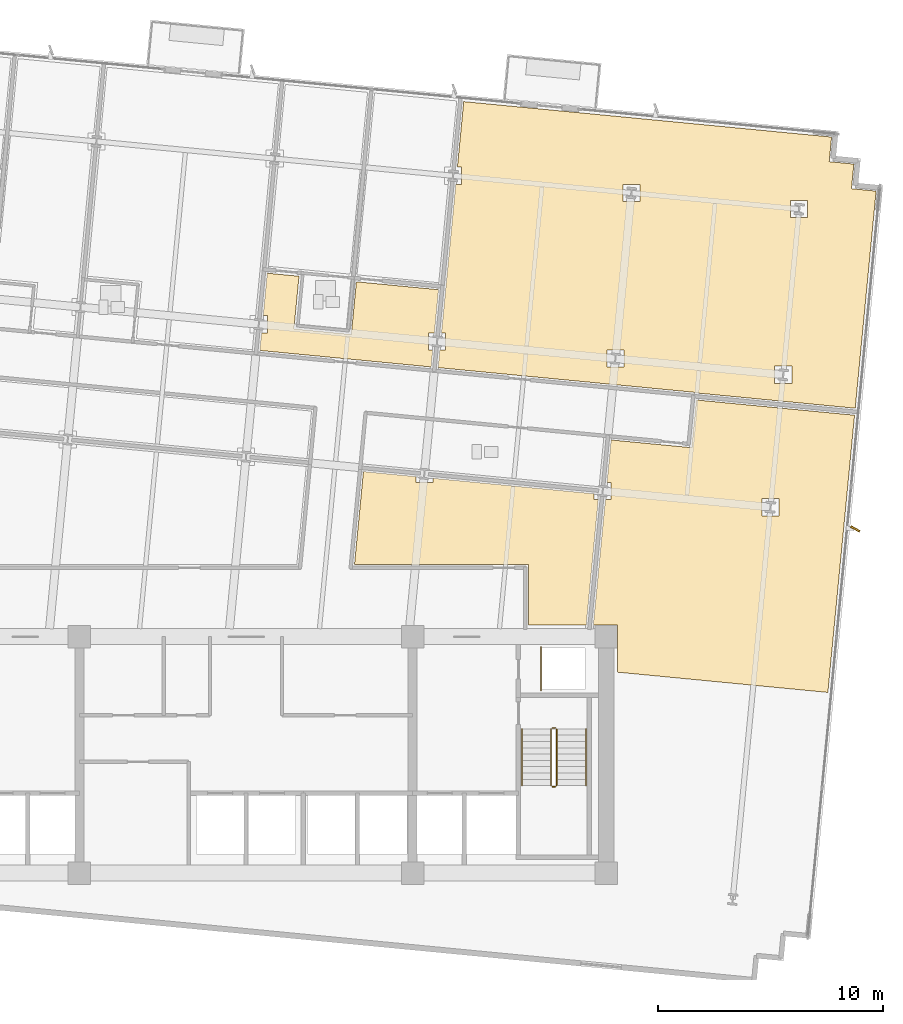
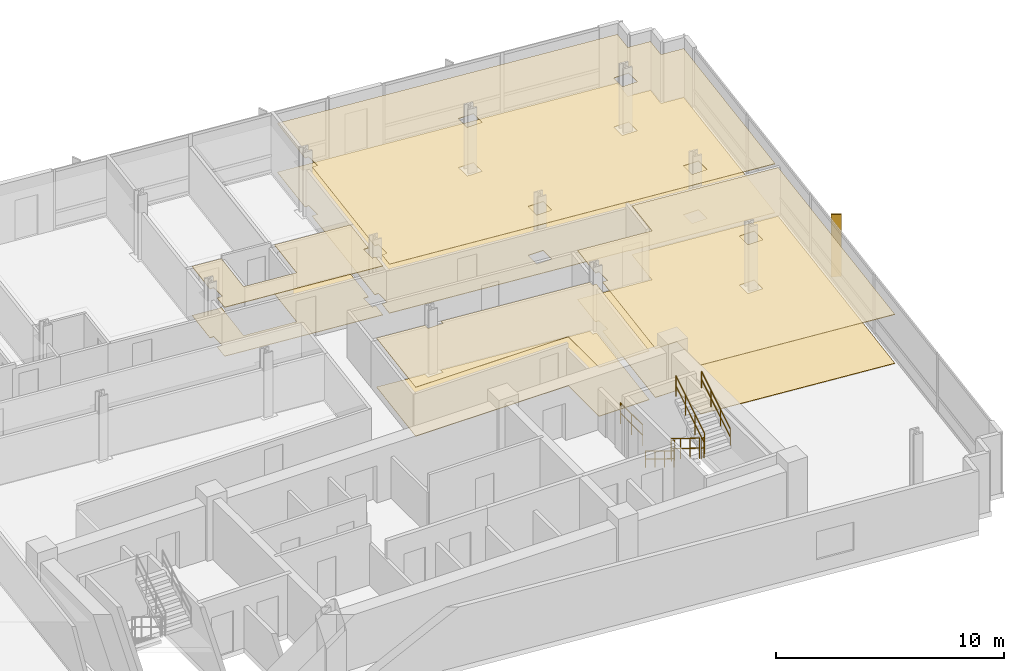
# One storey, part 15 of 17: 8 coverings, 7 railings, 1 shading device.
"""IFC4 building model written with IfcOpenShell, lengths in metres."""

from ifc_helpers import new_model, si_unit, direction, frame, origin, origin_2d, place, context, subcontext, project, spatial, polyline, rectangle, circle, outline, extrude, material, layer, layer_set, type_object, element, save


model = new_model("IFC4")

# Units and contexts
model_context = context("Model", 3, precision=1e-05, world=origin(), true_north=direction((0.0, 1.0)))
body_context = subcontext(model_context, "Body", "Model", "MODEL_VIEW")
ifc_project = project(units=[si_unit("LENGTHUNIT", "METRE"), si_unit("AREAUNIT", "SQUARE_METRE"), si_unit("VOLUMEUNIT", "CUBIC_METRE"), si_unit("PLANEANGLEUNIT", "RADIAN"), si_unit("MASSUNIT", "GRAM", prefix="KILO")], contexts=[model_context])

# Site, building, storey
site_placement = place(None, origin())
site = spatial("IfcSite", under=ifc_project, at=site_placement, CompositionType="ELEMENT")
building_placement = place(site_placement, origin())
building = spatial("IfcBuilding", under=site, at=building_placement, Name="Solmavex Isthmus Hotel", CompositionType="ELEMENT")
storey_placement = place(building_placement, frame((0.0, 0.0, 153.14990234375)))
storey = spatial("IfcBuildingStorey", under=building, at=storey_placement, Name="L41", CompositionType="ELEMENT", Elevation=153.14990234375)

# Coverings
ifc_material_1 = material(Name="Gypsum plasterboard lining", Category="gypsum")
ifc_layer_1 = layer(ifc_material_1, 0.030029296875)
ifc_layer_set_1 = layer_set([ifc_layer_1], Name="Gypsum plasterboard lining")
covering_type_1 = type_object("IfcCoveringType", Name="COV-CEIL-GYP", PredefinedType="CEILING", material=ifc_layer_set_1)
covering_1_placement = place(storey_placement, frame((0.0, 0.0, 2.6201171875)))
element("IfcCovering", 1, at=covering_1_placement, inside=storey, type_object=covering_type_1, Name="Suspended Acoustic Ceiling L41-ST05-FY", PredefinedType="CEILING", context=body_context, shape_type="SweptSolid", body=[
    extrude(outline(polyline([(4.9013671875, 13.259521484375), (4.67626953125, 10.920166015625), (2.1279296875, 11.16552734375), (2.353271484375, 13.5048828125), (0.94189453125, 13.640625), (0.759765625, 11.751220703125), (0.947509765625, 11.751220703125), (0.947509765625, 10.9912109375), (0.686767578125, 10.9912109375), (0.611328125, 10.20849609375), (4.7333984375, 9.811767578125), (5.606201171875, 9.7275390625), (8.22216796875, 9.475830078125), (8.294677734375, 10.228515625), (8.10693359375, 10.228515625), (8.10693359375, 10.988525390625), (8.36767578125, 10.988525390625), (8.552490234375, 12.907958984375), (4.9013671875, 13.259521484375)])), origin(), (0.0, 0.0, 1.0), 0.030029296875),
])
covering_2_placement = place(storey_placement, frame((0.0, 0.0, 2.6201171875)))
element("IfcCovering", 2, at=covering_2_placement, inside=storey, type_object=covering_type_1, Name="Suspended Acoustic Ceiling L41-RM06", PredefinedType="CEILING", context=body_context, shape_type="SweptSolid", body=[
    extrude(outline(polyline([(8.67919921875, 10.988525390625), (8.866943359375, 10.988525390625), (8.866943359375, 10.228515625), (8.60595703125, 10.228515625), (8.53076171875, 9.446044921875), (20.033447265625, 8.33837890625), (20.031494140625, 8.318603515625), (27.05712890625, 7.64208984375), (27.90673828125, 16.46630859375), (27.98583984375, 17.287353515625), (26.890869140625, 17.392822265625), (26.996337890625, 18.48779296875), (25.9013671875, 18.59326171875), (26.0068359375, 19.688232421875), (25.185546875, 19.767333984375), (9.66845703125, 21.261474609375), (9.3876953125, 18.346435546875), (9.575439453125, 18.346435546875), (9.575439453125, 17.586669921875), (9.314453125, 17.586669921875), (8.67919921875, 10.988525390625)]), holes=[polyline([(24.188232421875, 16.106201171875), (24.188232421875, 16.8662109375), (24.9482421875, 16.8662109375), (24.9482421875, 16.106201171875), (24.188232421875, 16.106201171875)]), polyline([(23.479736328125, 8.748291015625), (23.479736328125, 9.50830078125), (24.23974609375, 9.50830078125), (24.23974609375, 8.748291015625), (23.479736328125, 8.748291015625)]), polyline([(16.73486328125, 16.823974609375), (16.73486328125, 17.583984375), (17.494873046875, 17.583984375), (17.494873046875, 16.823974609375), (16.73486328125, 16.823974609375)]), polyline([(16.0263671875, 9.466064453125), (16.0263671875, 10.22607421875), (16.786376953125, 10.22607421875), (16.786376953125, 9.466064453125), (16.0263671875, 9.466064453125)])]), origin(), (0.0, 0.0, 1.0), 0.030029296875),
])
covering_3_placement = place(storey_placement, frame((0.0, 0.0, 2.6201171875)))
element("IfcCovering", 3, at=covering_3_placement, inside=storey, type_object=covering_type_1, Name="Suspended Acoustic Ceiling L41-FL09", PredefinedType="CEILING", context=body_context, shape_type="SweptSolid", body=[
    extrude(outline(polyline([(8.300537109375, 4.535400390625), (8.300537109375, 4.347900390625), (7.540771484375, 4.347900390625), (7.540771484375, 4.608642578125), (5.21533203125, 4.83251953125), (4.81787109375, 0.705078125), (12.554931640625, 0.705078125), (12.554931640625, -1.9951171875), (15.1103515625, -1.9951171875), (15.647705078125, 3.585205078125), (15.4599609375, 3.585205078125), (15.4599609375, 3.84619140625), (8.300537109375, 4.535400390625)])), origin(), (0.0, 0.0, 1.0), 0.030029296875),
])
covering_4_placement = place(storey_placement, frame((0.0, 0.0, 2.6201171875)))
element("IfcCovering", 4, at=covering_4_placement, inside=storey, type_object=covering_type_1, Name="Suspended Acoustic Ceiling L41-FL12", PredefinedType="CEILING", context=body_context, shape_type="SweptSolid", body=[
    extrude(outline(polyline([(16.0322265625, 4.34521484375), (16.219970703125, 4.34521484375), (16.219970703125, 3.585205078125), (15.959228515625, 3.585205078125), (15.658935546875, 0.466552734375), (15.421875, -1.9951171875), (16.5048828125, -1.9951171875), (16.5048828125, -4.08056640625), (25.841796875, -4.9794921875), (26.267822265625, -0.554931640625), (26.603271484375, 2.928955078125), (27.02734375, 7.33349609375), (20.001953125, 8.010009765625), (19.797607421875, 5.8896484375), (16.21435546875, 6.23486328125), (16.0322265625, 4.34521484375)]), holes=[polyline([(22.91357421875, 2.867431640625), (22.91357421875, 3.62744140625), (23.673583984375, 3.62744140625), (23.673583984375, 2.867431640625), (22.91357421875, 2.867431640625)])]), origin(), (0.0, 0.0, 1.0), 0.030029296875),
])
ifc_material_2 = material(Name="Travertine natural stone", Category="masonry")
ifc_layer_2 = layer(ifc_material_2, 0.02490234375)
ifc_layer_set_2 = layer_set([ifc_layer_2], Name="Travertine natural stone")
covering_type_2 = type_object("IfcCoveringType", Name="COV-FLOR-STN", PredefinedType="FLOORING", material=ifc_layer_set_2)
covering_5_placement = place(storey_placement, origin())
element("IfcCovering", 5, at=covering_5_placement, inside=storey, type_object=covering_type_2, Name="Stone and Timber Floor Finish L41-ST05-FY", PredefinedType="FLOORING", context=body_context, shape_type="SweptSolid", body=[
    extrude(outline(polyline([(4.9013671875, 13.259521484375), (4.67626953125, 10.920166015625), (2.1279296875, 11.16552734375), (2.353271484375, 13.5048828125), (0.94189453125, 13.640625), (0.759765625, 11.751220703125), (0.947509765625, 11.751220703125), (0.947509765625, 10.9912109375), (0.686767578125, 10.9912109375), (0.611328125, 10.20849609375), (4.7333984375, 9.811767578125), (5.606201171875, 9.7275390625), (8.22216796875, 9.475830078125), (8.294677734375, 10.228515625), (8.10693359375, 10.228515625), (8.10693359375, 10.988525390625), (8.36767578125, 10.988525390625), (8.552490234375, 12.907958984375), (4.9013671875, 13.259521484375)])), origin(), (0.0, 0.0, 1.0), 0.025146484375),
])
covering_6_placement = place(storey_placement, origin())
element("IfcCovering", 6, at=covering_6_placement, inside=storey, type_object=covering_type_2, Name="Stone and Timber Floor Finish L41-RM06", PredefinedType="FLOORING", context=body_context, shape_type="SweptSolid", body=[
    extrude(outline(polyline([(8.67919921875, 10.988525390625), (8.866943359375, 10.988525390625), (8.866943359375, 10.228515625), (8.60595703125, 10.228515625), (8.53076171875, 9.446044921875), (20.033447265625, 8.33837890625), (20.031494140625, 8.318603515625), (27.05712890625, 7.64208984375), (27.90673828125, 16.46630859375), (27.98583984375, 17.287353515625), (26.890869140625, 17.392822265625), (26.996337890625, 18.48779296875), (25.9013671875, 18.59326171875), (26.0068359375, 19.688232421875), (25.185546875, 19.767333984375), (9.66845703125, 21.261474609375), (9.3876953125, 18.346435546875), (9.575439453125, 18.346435546875), (9.575439453125, 17.586669921875), (9.314453125, 17.586669921875), (8.67919921875, 10.988525390625)]), holes=[polyline([(24.188232421875, 16.106201171875), (24.188232421875, 16.8662109375), (24.9482421875, 16.8662109375), (24.9482421875, 16.106201171875), (24.188232421875, 16.106201171875)]), polyline([(23.479736328125, 8.748291015625), (23.479736328125, 9.50830078125), (24.23974609375, 9.50830078125), (24.23974609375, 8.748291015625), (23.479736328125, 8.748291015625)]), polyline([(16.73486328125, 16.823974609375), (16.73486328125, 17.583984375), (17.494873046875, 17.583984375), (17.494873046875, 16.823974609375), (16.73486328125, 16.823974609375)]), polyline([(16.0263671875, 9.466064453125), (16.0263671875, 10.22607421875), (16.786376953125, 10.22607421875), (16.786376953125, 9.466064453125), (16.0263671875, 9.466064453125)])]), origin(), (0.0, 0.0, 1.0), 0.025146484375),
])
covering_7_placement = place(storey_placement, origin())
element("IfcCovering", 7, at=covering_7_placement, inside=storey, type_object=covering_type_2, Name="Stone and Timber Floor Finish L41-FL09", PredefinedType="FLOORING", context=body_context, shape_type="SweptSolid", body=[
    extrude(outline(polyline([(8.300537109375, 4.535400390625), (8.300537109375, 4.347900390625), (7.540771484375, 4.347900390625), (7.540771484375, 4.608642578125), (5.21533203125, 4.83251953125), (4.81787109375, 0.705078125), (12.554931640625, 0.705078125), (12.554931640625, -1.9951171875), (15.1103515625, -1.9951171875), (15.647705078125, 3.585205078125), (15.4599609375, 3.585205078125), (15.4599609375, 3.84619140625), (8.300537109375, 4.535400390625)])), origin(), (0.0, 0.0, 1.0), 0.025146484375),
])
covering_8_placement = place(storey_placement, origin())
element("IfcCovering", 8, at=covering_8_placement, inside=storey, type_object=covering_type_2, Name="Stone and Timber Floor Finish L41-FL12", PredefinedType="FLOORING", context=body_context, shape_type="SweptSolid", body=[
    extrude(outline(polyline([(16.0322265625, 4.34521484375), (16.219970703125, 4.34521484375), (16.219970703125, 3.585205078125), (15.959228515625, 3.585205078125), (15.658935546875, 0.466552734375), (15.421875, -1.9951171875), (16.5048828125, -1.9951171875), (16.5048828125, -4.08056640625), (25.841796875, -4.9794921875), (26.267822265625, -0.554931640625), (26.603271484375, 2.928955078125), (27.02734375, 7.33349609375), (20.001953125, 8.010009765625), (19.797607421875, 5.8896484375), (16.21435546875, 6.23486328125), (16.0322265625, 4.34521484375)]), holes=[polyline([(22.91357421875, 2.867431640625), (22.91357421875, 3.62744140625), (23.673583984375, 3.62744140625), (23.673583984375, 2.867431640625), (22.91357421875, 2.867431640625)])]), origin(), (0.0, 0.0, 1.0), 0.025146484375),
])

# Railings
ifc_material_3 = material(Name="Clear low-E laminated glass", Category="glass")
ifc_layer_3 = layer(ifc_material_3, 0.080078125)
ifc_layer_set_3 = layer_set([ifc_layer_3], Name="Clear low-E laminated glass")
railing_type_1 = type_object("IfcRailingType", Name="RAIL-ATRIUM-1120", PredefinedType="BALUSTRADE", material=ifc_layer_set_3)
railing_1_placement = place(storey_placement, frame((13.10009765625, -4.89990234375, 0.0)))
element("IfcRailing", 9, at=railing_1_placement, inside=storey, type_object=railing_type_1, Name="Guardrail Balustrade L41-RSE-01", PredefinedType="BALUSTRADE", context=body_context, shape_type="SweptSolid", body=[
    extrude(circle(Radius=0.02392578125, at=origin_2d()), frame((0.0, 0.0, 1.1259765625), z_axis=(0.0, 1.0, 0.0), x_axis=(-1.0, 0.0, 0.0)), (0.0, 0.0, 1.0), 1.949951171875),
    extrude(circle(Radius=0.02392578125, at=origin_2d()), frame((0.0, 0.0, 0.574951171875), z_axis=(0.0, 1.0, 0.0), x_axis=(-1.0, 0.0, 0.0)), (0.0, 0.0, 1.0), 1.949951171875),
    extrude(circle(Radius=0.02099609375, at=origin_2d()), origin(), (0.0, 0.0, 1.0), 1.101806640625),
    extrude(circle(Radius=0.02099609375, at=origin_2d()), frame((0.0, 0.97509765625, 0.0)), (0.0, 0.0, 1.0), 1.101806640625),
    extrude(circle(Radius=0.02099609375, at=origin_2d()), frame((0.0, 1.949951171875, 0.0)), (0.0, 0.0, 1.0), 1.101806640625),
])
ifc_material_4 = material(Name="Stainless steel 316", Category="steel")
ifc_layer_4 = layer(ifc_material_4, 0.06005859375)
ifc_layer_set_4 = layer_set([ifc_layer_4], Name="Stainless steel 316")
railing_type_2 = type_object("IfcRailingType", Name="RAIL-STAIR-GD", PredefinedType="GUARDRAIL", material=ifc_layer_set_4)
railing_2_placement = place(storey_placement, frame((13.550048828125, -6.60009765625, 0.172607421875)))
element("IfcRailing", 10, at=railing_2_placement, inside=storey, type_object=railing_type_2, Name="L41 ST-2 stair guard 1", PredefinedType="GUARDRAIL", context=body_context, shape_type="SweptSolid", body=[
    extrude(circle(Radius=0.02392578125, at=origin_2d()), frame((0.0, 0.0, 1.09619140625), z_axis=(0.0, -0.851400495292, 0.524516154772), x_axis=(1.0, 0.0, 0.0)), (0.0, 0.0, 1.0), 2.9599609375),
    extrude(circle(Radius=0.02392578125, at=origin_2d()), frame((0.0, 0.0, 0.56005859375), z_axis=(0.0, -0.851400495292, 0.524516154772), x_axis=(1.0, 0.0, 0.0)), (0.0, 0.0, 1.0), 2.9599609375),
    extrude(circle(Radius=0.02099609375, at=origin_2d()), origin(), (0.0, 0.0, 1.0), 1.072021484375),
    extrude(circle(Radius=0.02099609375, at=origin_2d()), frame((0.0, -0.840087890625, 0.517578125)), (0.0, 0.0, 1.0), 1.072021484375),
    extrude(circle(Radius=0.02099609375, at=origin_2d()), frame((0.0, -1.679931640625, 1.034912109375)), (0.0, 0.0, 1.0), 1.072021484375),
    extrude(circle(Radius=0.02099609375, at=origin_2d()), frame((0.0, -2.52001953125, 1.552490234375)), (0.0, 0.0, 1.0), 1.072021484375),
])
railing_3_placement = place(storey_placement, frame((13.60009765625, -9.169921875, 1.72509765625)))
element("IfcRailing", 11, at=railing_3_placement, inside=storey, type_object=railing_type_2, Name="L41 ST-2 stair guard 2", PredefinedType="GUARDRAIL", context=body_context, shape_type="SweptSolid", body=[
    extrude(circle(Radius=0.02392578125, at=origin_2d()), frame((0.0, 0.0, 1.09619140625), z_axis=(1.0, 0.0, 0.0), x_axis=(0.0, 1.0, 0.0)), (0.0, 0.0, 1.0), 0.14990234375),
    extrude(circle(Radius=0.02392578125, at=origin_2d()), frame((0.0, 0.0, 0.56005859375), z_axis=(1.0, 0.0, 0.0), x_axis=(0.0, 1.0, 0.0)), (0.0, 0.0, 1.0), 0.14990234375),
    extrude(circle(Radius=0.02099609375, at=origin_2d()), origin(), (0.0, 0.0, 1.0), 1.072021484375),
    extrude(circle(Radius=0.02099609375, at=origin_2d()), frame((0.14990234375, 0.0, 0.0)), (0.0, 0.0, 1.0), 1.072021484375),
])
railing_4_placement = place(storey_placement, frame((13.800048828125, -9.1201171875, 1.897705078125)))
element("IfcRailing", 12, at=railing_4_placement, inside=storey, type_object=railing_type_2, Name="L41 ST-2 stair guard 3", PredefinedType="GUARDRAIL", context=body_context, shape_type="SweptSolid", body=[
    extrude(circle(Radius=0.02392578125, at=origin_2d()), frame((0.0, 0.0, 1.09619140625), z_axis=(0.0, 0.851400495292, 0.524516154772), x_axis=(-1.0, 0.0, 0.0)), (0.0, 0.0, 1.0), 2.9599609375),
    extrude(circle(Radius=0.02392578125, at=origin_2d()), frame((0.0, 0.0, 0.56005859375), z_axis=(0.0, 0.851400495292, 0.524516154772), x_axis=(-1.0, 0.0, 0.0)), (0.0, 0.0, 1.0), 2.9599609375),
    extrude(circle(Radius=0.02099609375, at=origin_2d()), origin(), (0.0, 0.0, 1.0), 1.072021484375),
    extrude(circle(Radius=0.02099609375, at=origin_2d()), frame((0.0, 0.840087890625, 0.517578125)), (0.0, 0.0, 1.0), 1.072021484375),
    extrude(circle(Radius=0.02099609375, at=origin_2d()), frame((0.0, 1.679931640625, 1.034912109375)), (0.0, 0.0, 1.0), 1.072021484375),
    extrude(circle(Radius=0.02099609375, at=origin_2d()), frame((0.0, 2.52001953125, 1.552490234375)), (0.0, 0.0, 1.0), 1.072021484375),
])
railing_5_placement = place(storey_placement, frame((13.60009765625, -6.550048828125, 0.0)))
element("IfcRailing", 13, at=railing_5_placement, inside=storey, type_object=railing_type_2, Name="L41 ST-2 stair guard 4", PredefinedType="GUARDRAIL", context=body_context, shape_type="SweptSolid", body=[
    extrude(circle(Radius=0.02392578125, at=origin_2d()), frame((0.0, 0.0, 1.09619140625), z_axis=(1.0, 0.0, 0.0), x_axis=(0.0, 1.0, 0.0)), (0.0, 0.0, 1.0), 0.14990234375),
    extrude(circle(Radius=0.02392578125, at=origin_2d()), frame((0.0, 0.0, 0.56005859375), z_axis=(1.0, 0.0, 0.0), x_axis=(0.0, 1.0, 0.0)), (0.0, 0.0, 1.0), 0.14990234375),
    extrude(circle(Radius=0.02099609375, at=origin_2d()), origin(), (0.0, 0.0, 1.0), 1.072021484375),
    extrude(circle(Radius=0.02099609375, at=origin_2d()), frame((0.14990234375, 0.0, 0.0)), (0.0, 0.0, 1.0), 1.072021484375),
])
ifc_layer_5 = layer(ifc_material_4, 0.050048828125)
ifc_layer_set_5 = layer_set([ifc_layer_5], Name="Stainless steel 316")
railing_type_3 = type_object("IfcRailingType", Name="RAIL-STAIR-HR", PredefinedType="HANDRAIL", material=ifc_layer_set_5)
railing_6_placement = place(storey_placement, frame((12.25, -6.60009765625, 0.172607421875)))
element("IfcRailing", 14, at=railing_6_placement, inside=storey, type_object=railing_type_3, Name="L41 ST-2 stair handrail 1", PredefinedType="HANDRAIL", context=body_context, shape_type="SweptSolid", body=[
    extrude(circle(Radius=0.02392578125, at=origin_2d()), frame((0.0, 0.0, 0.8759765625), z_axis=(0.0, -0.851400495292, 0.524516154772), x_axis=(1.0, 0.0, 0.0)), (0.0, 0.0, 1.0), 2.9599609375),
    extrude(circle(Radius=0.02392578125, at=origin_2d()), frame((0.0, 0.0, 0.449951171875), z_axis=(0.0, -0.851400495292, 0.524516154772), x_axis=(1.0, 0.0, 0.0)), (0.0, 0.0, 1.0), 2.9599609375),
    extrude(circle(Radius=0.02099609375, at=origin_2d()), origin(), (0.0, 0.0, 1.0), 0.851806640625),
    extrude(circle(Radius=0.02099609375, at=origin_2d()), frame((0.0, -0.840087890625, 0.517578125)), (0.0, 0.0, 1.0), 0.851806640625),
    extrude(circle(Radius=0.02099609375, at=origin_2d()), frame((0.0, -1.679931640625, 1.034912109375)), (0.0, 0.0, 1.0), 0.851806640625),
    extrude(circle(Radius=0.02099609375, at=origin_2d()), frame((0.0, -2.52001953125, 1.552490234375)), (0.0, 0.0, 1.0), 0.851806640625),
])
railing_7_placement = place(storey_placement, frame((15.10009765625, -9.1201171875, 1.897705078125)))
element("IfcRailing", 15, at=railing_7_placement, inside=storey, type_object=railing_type_3, Name="L41 ST-2 stair handrail 2", PredefinedType="HANDRAIL", context=body_context, shape_type="SweptSolid", body=[
    extrude(circle(Radius=0.02392578125, at=origin_2d()), frame((0.0, 0.0, 0.8759765625), z_axis=(0.0, 0.851400495292, 0.524516154772), x_axis=(-1.0, 0.0, 0.0)), (0.0, 0.0, 1.0), 2.9599609375),
    extrude(circle(Radius=0.02392578125, at=origin_2d()), frame((0.0, 0.0, 0.449951171875), z_axis=(0.0, 0.851400495292, 0.524516154772), x_axis=(-1.0, 0.0, 0.0)), (0.0, 0.0, 1.0), 2.9599609375),
    extrude(circle(Radius=0.02099609375, at=origin_2d()), origin(), (0.0, 0.0, 1.0), 0.851806640625),
    extrude(circle(Radius=0.02099609375, at=origin_2d()), frame((0.0, 0.840087890625, 0.517578125)), (0.0, 0.0, 1.0), 0.851806640625),
    extrude(circle(Radius=0.02099609375, at=origin_2d()), frame((0.0, 1.679931640625, 1.034912109375)), (0.0, 0.0, 1.0), 0.851806640625),
    extrude(circle(Radius=0.02099609375, at=origin_2d()), frame((0.0, 2.52001953125, 1.552490234375)), (0.0, 0.0, 1.0), 0.851806640625),
])

# Shading device
ifc_material_5 = material(Name="Aluminium alloy 6063-T6", Category="aluminium")
shading_device_type = type_object("IfcShadingDeviceType", Name="SHD-FIN-BRONZE", PredefinedType="USERDEFINED", material=ifc_material_5)
shading_device_placement = place(storey_placement, frame((27.058349609375, 2.2822265625, -0.139892578125), z_axis=(0.0, 0.0, 1.0), x_axis=(0.87035569594, -0.492423560103, 0.0)))
element("IfcShadingDevice", 16, at=shading_device_placement, inside=storey, type_object=shading_device_type, Name="Anodised Aluminium Solar Fin L41-E1", ObjectType="SOLAR_FIN", PredefinedType="USERDEFINED", context=body_context, shape_type="SweptSolid", body=[
    extrude(rectangle(XDim=0.449951171875, YDim=0.080078125, at=origin_2d()), origin(), (0.0, 0.0, 1.0), 3.330078125),
])

save(model, "model.ifc")
